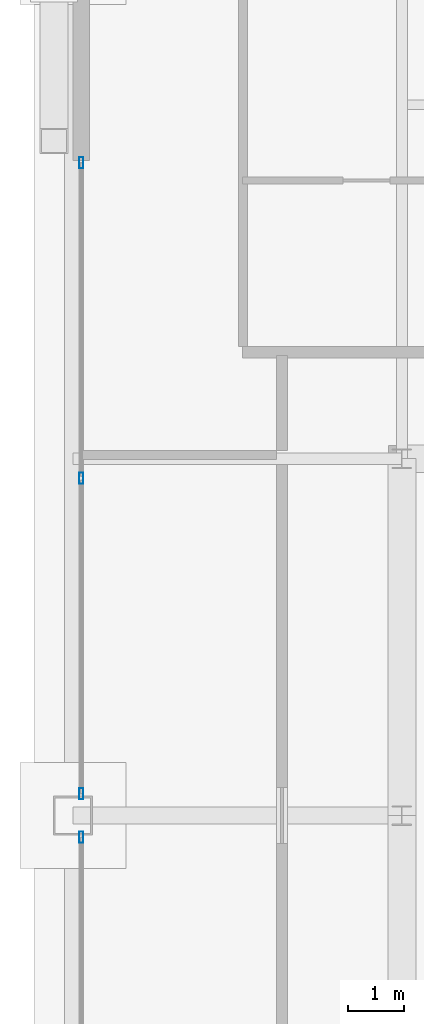
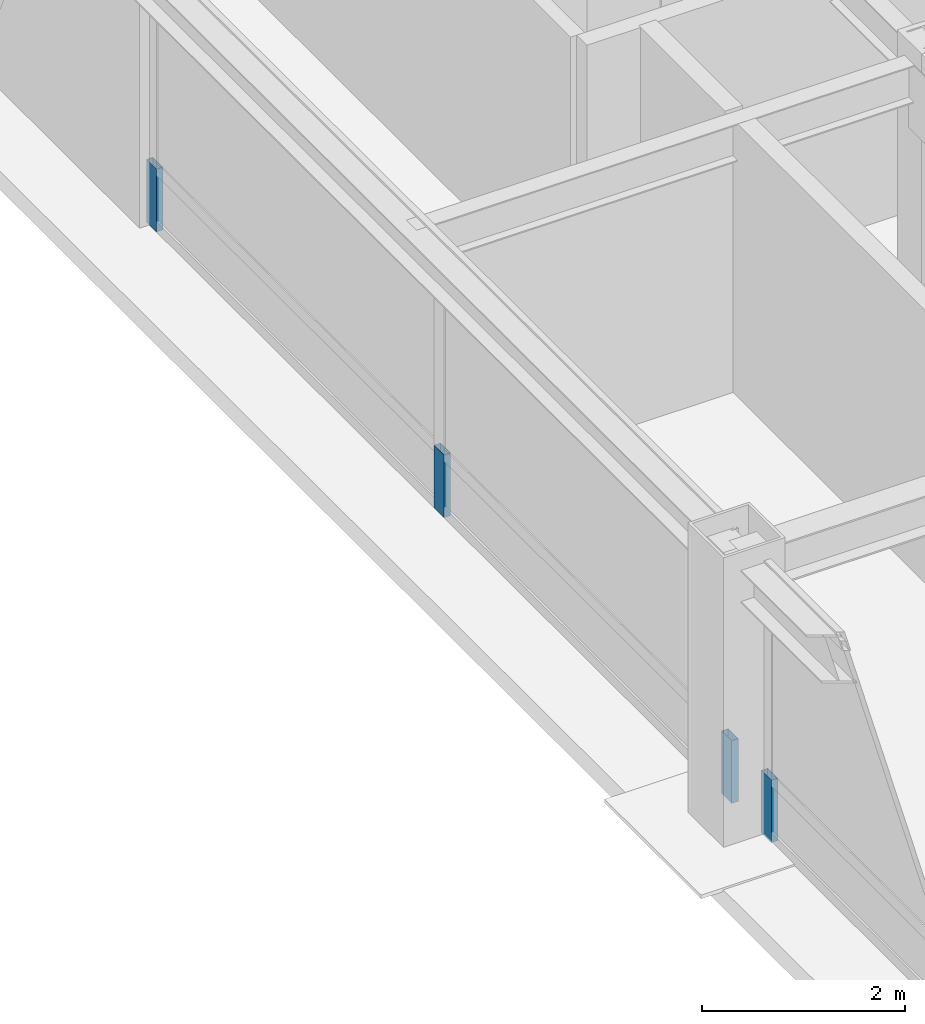
# One storey, part 24 of 35: 4 members, 2 elements without a shape of their own.
"""IFC4 building model written with IfcOpenShell, lengths in metres."""

from ifc_helpers import new_model, si_unit, direction, frame, origin, origin_2d, place, context, subcontext, project, spatial, hollow_rectangle, extrude, source, transform, mapped, material, layer, layer_set, material_profile, profile_set, type_object, element, aggregate, save


model = new_model("IFC4")

# Units and contexts
model_context = context("Model", 3, precision=1e-05, world=origin(), true_north=direction((0.0, 1.0)))
body_context = subcontext(model_context, "Body", "Model", "MODEL_VIEW")
ifc_project = project(units=[si_unit("LENGTHUNIT", "METRE"), si_unit("AREAUNIT", "SQUARE_METRE"), si_unit("VOLUMEUNIT", "CUBIC_METRE"), si_unit("PLANEANGLEUNIT", "RADIAN"), si_unit("MASSUNIT", "GRAM", prefix="KILO"), si_unit("THERMODYNAMICTEMPERATUREUNIT", "KELVIN"), si_unit("POWERUNIT", "WATT")], contexts=[model_context])

# Site, building, storey
site_placement = place(None, origin())
site = spatial("IfcSite", under=ifc_project, at=site_placement, CompositionType="ELEMENT")
building_placement = place(site_placement, origin())
building = spatial("IfcBuilding", under=site, at=building_placement, Name="Yuzanri Waterfront Tower", CompositionType="ELEMENT")
storey_placement = place(building_placement, frame((0.0, 0.0, 285.60009765625)))
storey = spatial("IfcBuildingStorey", under=building, at=storey_placement, Name="L76", CompositionType="ELEMENT", Elevation=285.60009765625)

# Curtain wall, member
ifc_material_1 = material(Name="Anodized Architectural Bronze", Category="metal")
ifc_layer = layer(ifc_material_1, 0.159912109375)
ifc_layer_set = layer_set([ifc_layer], Name="Anodized Architectural Bronze")
curtain_wall_type = type_object("IfcCurtainWallType", Name="Anodized Bronze High-Rise Penthouse High-Wind Unitized Curtain Wall 6900", PredefinedType="NOTDEFINED", material=ifc_layer_set)
curtain_wall_1_placement = place(storey_placement, origin())
curtain_wall_1 = element("IfcCurtainWall", 1, at=curtain_wall_1_placement, inside=storey, type_object=curtain_wall_type, Name="L76 Curtain Wall CW-L76-WL", PredefinedType="NOTDEFINED")
ifc_material_2 = material(Name="Anodized Architectural Bronze", Category="metal")
ifc_material_profile = material_profile(ifc_material_2, hollow_rectangle(XDim=0.074951171875, YDim=0.199951171875, WallThickness=0.00390625, at=origin_2d()), Name="CWM 75x200")
ifc_profile_set = profile_set([ifc_material_profile], Name="Anodized Architectural Bronze")
member_type = type_object("IfcMemberType", Name="Anodized Bronze Primary Curtain-Wall Mullion 75x200", PredefinedType="MULLION", material=ifc_profile_set)
shared_shape = source(origin(), body_context, "Body", "SweptSolid", [
    extrude(hollow_rectangle(XDim=0.074951171875, YDim=0.199951171875, WallThickness=0.00390625, at=origin_2d()), origin(), (0.0, 0.0, 1.0), 0.751953125),
])
member_1_placement = place(storey_placement, frame((18.050048828125, 25.409912109375, 0.0), z_axis=(0.0, 0.0, 1.0), x_axis=(1.0, 0.0, 0.0)))
member_1 = element("IfcMember", 2, at=member_1_placement, type_object=member_type, Name="CW-L76-WL Lower Mullion 02", PredefinedType="MULLION", context=body_context, shape_type="MappedRepresentation", body=[
    mapped(shared_shape, transform((0.0, 0.0, 0.0), scale=1.0)),
])
aggregate(curtain_wall_1, [member_1])

# Curtain wall, members
curtain_wall_2_placement = place(storey_placement, origin())
curtain_wall_2 = element("IfcCurtainWall", 3, at=curtain_wall_2_placement, inside=storey, type_object=curtain_wall_type, Name="L76 Curtain Wall CW-L76-WR", PredefinedType="NOTDEFINED")
member_2_placement = place(storey_placement, frame((18.050048828125, 26.18994140625, 0.0), z_axis=(0.0, 0.0, 1.0), x_axis=(1.0, 0.0, 0.0)))
member_2 = element("IfcMember", 4, at=member_2_placement, type_object=member_type, Name="CW-L76-WR Lower Mullion 00", PredefinedType="MULLION", context=body_context, shape_type="MappedRepresentation", body=[
    mapped(shared_shape, transform((0.0, 0.0, 0.0), scale=1.0)),
])
member_3_placement = place(storey_placement, frame((18.050048828125, 31.85009765625, 0.0), z_axis=(0.0, 0.0, 1.0), x_axis=(1.0, 0.0, 0.0)))
member_3 = element("IfcMember", 5, at=member_3_placement, type_object=member_type, Name="CW-L76-WR Lower Mullion 01", PredefinedType="MULLION", context=body_context, shape_type="MappedRepresentation", body=[
    mapped(shared_shape, transform((0.0, 0.0, 0.0), scale=1.0)),
])
member_4_placement = place(storey_placement, frame((18.050048828125, 37.510009765625, 0.0), z_axis=(0.0, 0.0, 1.0), x_axis=(1.0, 0.0, 0.0)))
member_4 = element("IfcMember", 6, at=member_4_placement, type_object=member_type, Name="CW-L76-WR Lower Mullion 02", PredefinedType="MULLION", context=body_context, shape_type="MappedRepresentation", body=[
    mapped(shared_shape, transform((0.0, 0.0, 0.0), scale=1.0)),
])
aggregate(curtain_wall_2, [member_2, member_3, member_4])

save(model, "model.ifc")
